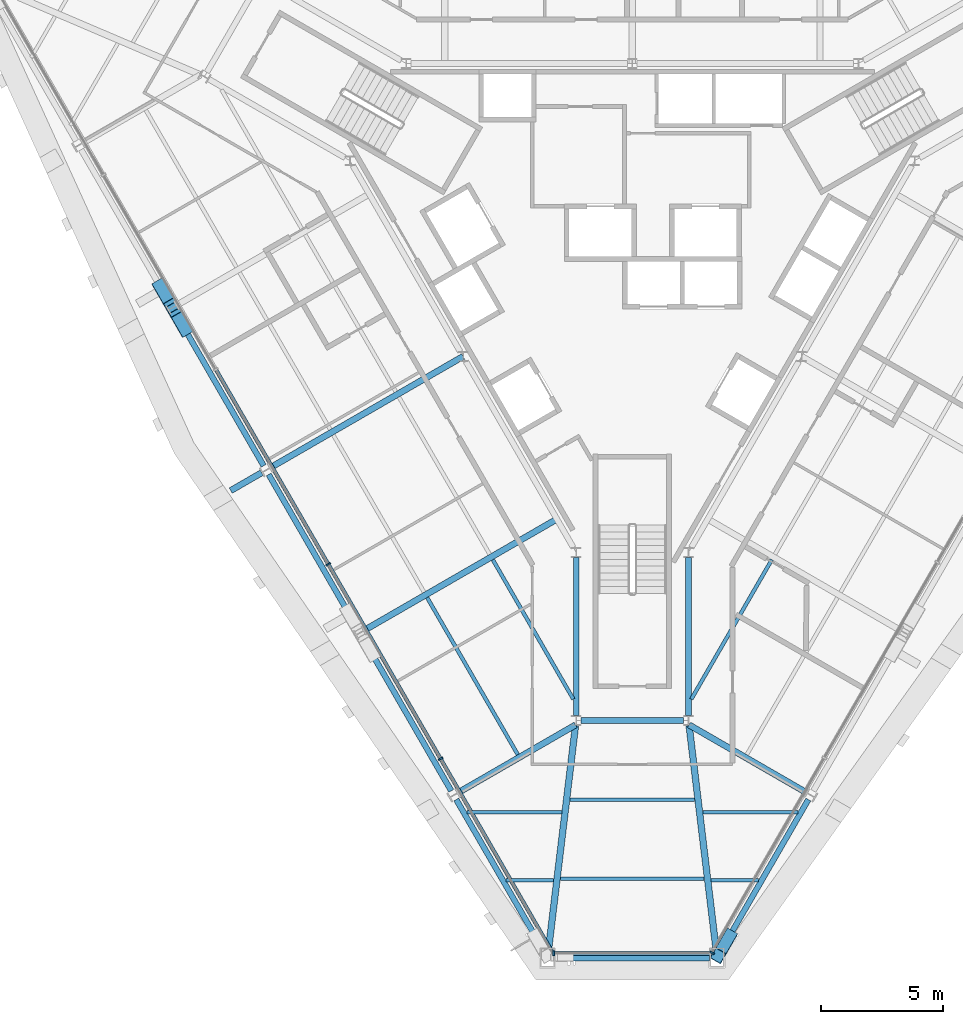
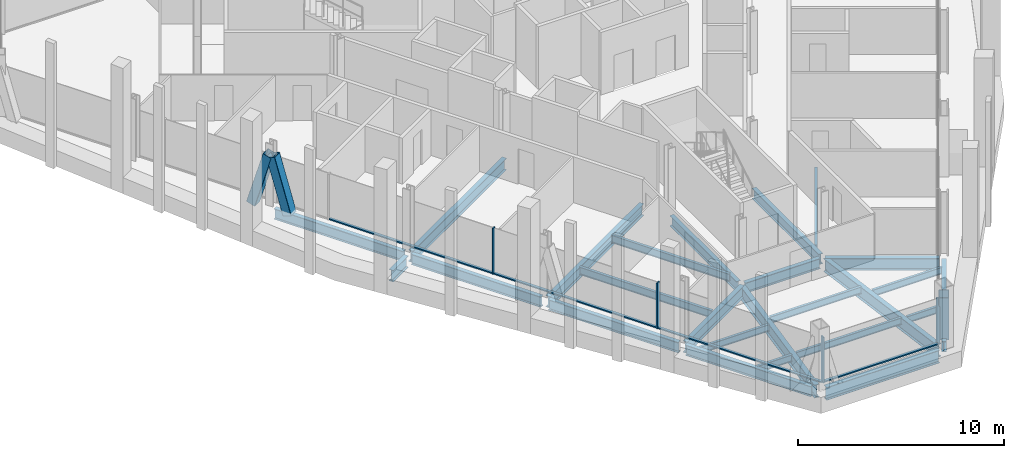
# One storey, part 2 of 13: 25 beams, 11 members, 3 elements without a shape of their own.
"""IFC4 building model written with IfcOpenShell, lengths in metres."""

from ifc_helpers import new_model, si_unit, direction, frame, origin, origin_2d, place, context, subcontext, project, spatial, rectangle, hollow_rectangle, i_section, extrude, material, material_profile, profile_set, type_object, element, aggregate, save


model = new_model("IFC4")

# Units and contexts
model_context = context("Model", 3, precision=1e-05, world=origin(), true_north=direction((0.0, 1.0)))
body_context = subcontext(model_context, "Body", "Model", "MODEL_VIEW")
ifc_project = project(units=[si_unit("LENGTHUNIT", "METRE"), si_unit("AREAUNIT", "SQUARE_METRE"), si_unit("VOLUMEUNIT", "CUBIC_METRE"), si_unit("PLANEANGLEUNIT", "RADIAN"), si_unit("MASSUNIT", "GRAM", prefix="KILO")], contexts=[model_context])

# Site, building, storey
site_placement = place(None, origin())
site = spatial("IfcSite", under=ifc_project, at=site_placement, CompositionType="ELEMENT")
building_placement = place(site_placement, origin())
building = spatial("IfcBuilding", under=site, at=building_placement, Name="Verrane Prism Tower", CompositionType="ELEMENT")
storey_placement = place(building_placement, frame((0.0, 0.0, 171.0)))
storey = spatial("IfcBuildingStorey", under=building, at=storey_placement, Name="L42", CompositionType="ELEMENT", Elevation=171.0)

# Beams
ifc_material_1 = material(Name="Steel A992", Category="steel")
ifc_material_profile_1 = material_profile(ifc_material_1, i_section(OverallWidth=0.2666015625, OverallDepth=0.7568359375, WebThickness=0.013916015625, FlangeThickness=0.019287109375, FilletRadius=0.0166015625, at=origin_2d()), Name="W30x108")
ifc_profile_set_1 = profile_set([ifc_material_profile_1], Name="Steel A992")
beam_type_1 = type_object("IfcBeamType", Name="Chamfer spandrel beam W30x108", PredefinedType="SPANDREL", material=ifc_profile_set_1)
beam_1_placement = place(storey_placement, frame((-3.169921875, -28.610107421875, -0.53857421875), z_axis=(1.0, 0.0, 0.0), x_axis=(0.0, 1.0, 0.0)))
element("IfcBeam", 1, at=beam_1_placement, inside=storey, type_object=beam_type_1, Name="Chamfer spandrel beam L42", PredefinedType="SPANDREL", context=body_context, shape_type="SweptSolid", body=[
    extrude(i_section(OverallWidth=0.2666015625, OverallDepth=0.7568359375, WebThickness=0.013916015625, FlangeThickness=0.019287109375, FilletRadius=0.0166015625, at=origin_2d()), origin(), (0.0, 0.0, 1.0), 6.33984375),
])
ifc_material_2 = material(Name="Steel A992", Category="steel")
ifc_material_profile_2 = material_profile(ifc_material_2, i_section(OverallWidth=0.23046875, OverallDepth=0.6171875, WebThickness=0.01318359375, FlangeThickness=0.022216796875, FilletRadius=0.012939453125, at=origin_2d()), Name="W24x94")
ifc_profile_set_2 = profile_set([ifc_material_profile_2], Name="Steel A992")
beam_type_2 = type_object("IfcBeamType", Name="Core ring girder W24x94", PredefinedType="BEAM", material=ifc_profile_set_2)
beam_2_placement = place(storey_placement, frame((-2.300048828125, -12.219482421875, -0.55859375), z_axis=(0.0, -1.0, 0.0), x_axis=(1.0, 0.0, 0.0)))
element("IfcBeam", 2, at=beam_2_placement, inside=storey, type_object=beam_type_2, Name="Core ring girder L42", PredefinedType="BEAM", context=body_context, shape_type="SweptSolid", body=[
    extrude(i_section(OverallWidth=0.23046875, OverallDepth=0.6171875, WebThickness=0.01318359375, FlangeThickness=0.022216796875, FilletRadius=0.012939453125, at=origin_2d()), origin(), (0.0, 0.0, 1.0), 6.47216796875),
])
beam_3_placement = place(storey_placement, frame((-2.0966796875, -18.89990234375, -0.55859375), z_axis=(1.0, 0.0, 0.0), x_axis=(0.0, 1.0, 0.0)))
element("IfcBeam", 3, at=beam_3_placement, inside=storey, type_object=beam_type_2, Name="Core ring girder L42", PredefinedType="BEAM", context=body_context, shape_type="SweptSolid", body=[
    extrude(i_section(OverallWidth=0.23046875, OverallDepth=0.6171875, WebThickness=0.01318359375, FlangeThickness=0.022216796875, FilletRadius=0.012939453125, at=origin_2d()), origin(), (0.0, 0.0, 1.0), 4.193359375),
])
beam_4_placement = place(storey_placement, frame((2.300048828125, -18.691650390625, -0.55859375), z_axis=(0.0, 1.0, 0.0), x_axis=(-1.0, 0.0, 0.0)))
element("IfcBeam", 4, at=beam_4_placement, inside=storey, type_object=beam_type_2, Name="Core ring girder L42", PredefinedType="BEAM", context=body_context, shape_type="SweptSolid", body=[
    extrude(i_section(OverallWidth=0.23046875, OverallDepth=0.6171875, WebThickness=0.01318359375, FlangeThickness=0.022216796875, FilletRadius=0.012939453125, at=origin_2d()), origin(), (0.0, 0.0, 1.0), 6.47216796875),
])
ifc_material_3 = material(Name="Steel A992", Category="steel")
ifc_material_profile_3 = material_profile(ifc_material_3, i_section(OverallWidth=0.2666015625, OverallDepth=0.76708984375, WebThickness=0.014892578125, FlangeThickness=0.023681640625, FilletRadius=0.0166015625, at=origin_2d()), Name="W30x124")
ifc_profile_set_3 = profile_set([ifc_material_profile_3], Name="Steel A992")
beam_type_3 = type_object("IfcBeamType", Name="Corner girder W30x124", PredefinedType="BEAM", material=ifc_profile_set_3)
for number, where, z_axis, x_axis, name in (
    (5, (-3.421875, -28.2099609375, -0.603515625), (0.119628268268, 0.992818753565, 0.0), (-0.992818753565, 0.119628268268, 0.0), "Corner girder L42"),
    (6, (3.421875, -28.2099609375, -0.603515625), (-0.119628268268, 0.992818753565, 0.0), (-0.992818753565, -0.119628268268, 0.0), "Corner girder L42"),
):
    element("IfcBeam", number, at=place(storey_placement, frame(where, z_axis=z_axis, x_axis=x_axis)), inside=storey, type_object=beam_type_3, Name=name, PredefinedType="BEAM", context=body_context, shape_type="SweptSolid", body=[
        extrude(i_section(OverallWidth=0.2666015625, OverallDepth=0.76708984375, WebThickness=0.014892578125, FlangeThickness=0.023681640625, FilletRadius=0.0166015625, at=origin_2d()), origin(), (0.0, 0.0, 1.0), 9.16748046875),
    ])

# Members
ifc_material_4 = material(Name="Steel A500 Grade C", Category="steel")
ifc_material_profile_4 = material_profile(ifc_material_4, hollow_rectangle(XDim=0.508056640625, YDim=0.508056640625, WallThickness=0.01904296875, InnerFilletRadius=0.009521484375, OuterFilletRadius=0.028564453125, at=origin_2d()), Name="HSS20x20x3/4")
ifc_profile_set_4 = profile_set([ifc_material_profile_4], Name="Steel A500 Grade C")
member_type_1 = type_object("IfcMemberType", Name="Facade brace HSS20x20x3/4", PredefinedType="BRACE", material=ifc_profile_set_4)
for number, where, z_axis, x_axis, name in (
    (7, (-19.34130859375, -1.11474609375, -0.216796875), (0.142163466059, -0.246149282404, 0.958749226696), (0.86595058071, 0.500129574979, 0.0), "Facade brace SW1 L42"),
    (8, (-18.31884765625, -2.88525390625, -0.216796875), (-0.142090690467, 0.246151880924, 0.958759347908), (-0.866063739398, -0.499933594891, 0.0), "Facade brace SW2 L42"),
    (9, (3.981201171875, -27.724609375, -0.216796875), (-0.142163466059, -0.246149282404, 0.958749226696), (0.86595058071, -0.500129574979, 0.0), "Facade brace SE0 L42"),
):
    element("IfcMember", number, at=place(storey_placement, frame(where, z_axis=z_axis, x_axis=x_axis)), inside=storey, type_object=member_type_1, Name=name, PredefinedType="BRACE", context=body_context, shape_type="SweptSolid", body=[
        extrude(hollow_rectangle(XDim=0.508056640625, YDim=0.508056640625, WallThickness=0.01904296875, InnerFilletRadius=0.009521484375, OuterFilletRadius=0.028564453125, at=origin_2d()), origin(), (0.0, 0.0, 1.0), 3.286865234375),
    ])

# Beams
ifc_material_5 = material(Name="Steel A992", Category="steel")
ifc_material_profile_5 = material_profile(ifc_material_5, i_section(OverallWidth=0.140380859375, OverallDepth=0.40380859375, WebThickness=0.007080078125, FlangeThickness=0.01123046875, FilletRadius=0.01025390625, at=origin_2d()), Name="W16x31")
ifc_profile_set_5 = profile_set([ifc_material_profile_5], Name="Steel A992")
beam_type_4 = type_object("IfcBeamType", Name="Floor beam W16x31", PredefinedType="BEAM", material=ifc_profile_set_5)
beam_5_placement = place(storey_placement, frame((-5.171630859375, -25.433349609375, -0.36181640625), z_axis=(1.0, 0.0, 0.0), x_axis=(0.0, 1.0, 0.0)))
element("IfcBeam", 10, at=beam_5_placement, inside=storey, type_object=beam_type_4, Name="Floor beam L42", PredefinedType="BEAM", context=body_context, shape_type="SweptSolid", body=[
    extrude(i_section(OverallWidth=0.140380859375, OverallDepth=0.40380859375, WebThickness=0.007080078125, FlangeThickness=0.01123046875, FilletRadius=0.01025390625, at=origin_2d()), origin(), (0.0, 0.0, 1.0), 1.950439453125),
])
beam_6_placement = place(storey_placement, frame((-6.77490234375, -22.65673828125, -0.36181640625), z_axis=(1.0, 0.0, 0.0), x_axis=(0.0, 1.0, 0.0)))
element("IfcBeam", 11, at=beam_6_placement, inside=storey, type_object=beam_type_4, Name="Floor beam L42", PredefinedType="BEAM", context=body_context, shape_type="SweptSolid", body=[
    extrude(i_section(OverallWidth=0.140380859375, OverallDepth=0.40380859375, WebThickness=0.007080078125, FlangeThickness=0.01123046875, FilletRadius=0.01025390625, at=origin_2d()), origin(), (0.0, 0.0, 1.0), 3.888916015625),
])
beam_7_placement = place(storey_placement, frame((3.22119140625, -25.433349609375, -0.36181640625), z_axis=(1.0, 0.0, 0.0), x_axis=(0.0, 1.0, 0.0)))
element("IfcBeam", 12, at=beam_7_placement, inside=storey, type_object=beam_type_4, Name="Floor beam L42", PredefinedType="BEAM", context=body_context, shape_type="SweptSolid", body=[
    extrude(i_section(OverallWidth=0.140380859375, OverallDepth=0.40380859375, WebThickness=0.007080078125, FlangeThickness=0.01123046875, FilletRadius=0.01025390625, at=origin_2d()), origin(), (0.0, 0.0, 1.0), 1.950439453125),
])
beam_8_placement = place(storey_placement, frame((2.885986328125, -22.65673828125, -0.36181640625), z_axis=(1.0, 0.0, 0.0), x_axis=(0.0, 1.0, 0.0)))
element("IfcBeam", 13, at=beam_8_placement, inside=storey, type_object=beam_type_4, Name="Floor beam L42", PredefinedType="BEAM", context=body_context, shape_type="SweptSolid", body=[
    extrude(i_section(OverallWidth=0.140380859375, OverallDepth=0.40380859375, WebThickness=0.007080078125, FlangeThickness=0.01123046875, FilletRadius=0.01025390625, at=origin_2d()), origin(), (0.0, 0.0, 1.0), 3.888916015625),
])
beam_9_placement = place(storey_placement, frame((-2.945068359375, -25.373291015625, -0.36181640625), z_axis=(1.0, 0.0, 0.0), x_axis=(0.0, 1.0, 0.0)))
element("IfcBeam", 14, at=beam_9_placement, inside=storey, type_object=beam_type_4, Name="Floor beam L42", PredefinedType="BEAM", context=body_context, shape_type="SweptSolid", body=[
    extrude(i_section(OverallWidth=0.140380859375, OverallDepth=0.40380859375, WebThickness=0.007080078125, FlangeThickness=0.01123046875, FilletRadius=0.01025390625, at=origin_2d()), origin(), (0.0, 0.0, 1.0), 5.89013671875),
])
beam_10_placement = place(storey_placement, frame((-2.554443359375, -22.13671875, -0.36181640625), z_axis=(1.0, 0.0, 0.0), x_axis=(0.0, 1.0, 0.0)))
element("IfcBeam", 15, at=beam_10_placement, inside=storey, type_object=beam_type_4, Name="Floor beam L42", PredefinedType="BEAM", context=body_context, shape_type="SweptSolid", body=[
    extrude(i_section(OverallWidth=0.140380859375, OverallDepth=0.40380859375, WebThickness=0.007080078125, FlangeThickness=0.01123046875, FilletRadius=0.01025390625, at=origin_2d()), origin(), (0.0, 0.0, 1.0), 5.10888671875),
])
ifc_material_6 = material(Name="Steel A992", Category="steel")
ifc_material_profile_6 = material_profile(ifc_material_6, i_section(OverallWidth=0.15234375, OverallDepth=0.449462890625, WebThickness=0.007568359375, FlangeThickness=0.0107421875, FilletRadius=0.01025390625, at=origin_2d()), Name="W18x35")
ifc_profile_set_6 = profile_set([ifc_material_profile_6], Name="Steel A992")
beam_type_5 = type_object("IfcBeamType", Name="Floor beam W18x35", PredefinedType="BEAM", material=ifc_profile_set_6)
beam_11_placement = place(storey_placement, frame((-2.4150390625, -18.027099609375, -0.384765625), z_axis=(-0.49998322161, 0.866035090576, 0.0), x_axis=(-0.866035090576, -0.49998322161, 0.0)))
element("IfcBeam", 16, at=beam_11_placement, inside=storey, type_object=beam_type_5, Name="Floor beam L42", PredefinedType="BEAM", context=body_context, shape_type="SweptSolid", body=[
    extrude(i_section(OverallWidth=0.15234375, OverallDepth=0.449462890625, WebThickness=0.007568359375, FlangeThickness=0.0107421875, FilletRadius=0.01025390625, at=origin_2d()), origin(), (0.0, 0.0, 1.0), 6.591552734375),
])
beam_12_placement = place(storey_placement, frame((-4.686279296875, -20.299072265625, -0.384765625), z_axis=(-0.500022277658, 0.866012541391, 0.0), x_axis=(-0.866012541391, -0.500022277658, 0.0)))
element("IfcBeam", 17, at=beam_12_placement, inside=storey, type_object=beam_type_5, Name="Floor beam L42", PredefinedType="BEAM", context=body_context, shape_type="SweptSolid", body=[
    extrude(i_section(OverallWidth=0.15234375, OverallDepth=0.449462890625, WebThickness=0.007568359375, FlangeThickness=0.0107421875, FilletRadius=0.01025390625, at=origin_2d()), origin(), (0.0, 0.0, 1.0), 7.424560546875),
])
beam_13_placement = place(storey_placement, frame((2.4150390625, -18.027099609375, -0.384765625), z_axis=(0.49998322161, 0.866035090576, 0.0), x_axis=(-0.866035090576, 0.49998322161, 0.0)))
element("IfcBeam", 18, at=beam_13_placement, inside=storey, type_object=beam_type_5, Name="Floor beam L42", PredefinedType="BEAM", context=body_context, shape_type="SweptSolid", body=[
    extrude(i_section(OverallWidth=0.15234375, OverallDepth=0.449462890625, WebThickness=0.007568359375, FlangeThickness=0.0107421875, FilletRadius=0.01025390625, at=origin_2d()), origin(), (0.0, 0.0, 1.0), 6.591552734375),
])

# Curtain wall, members
ifc_material_7 = material(Name="Aluminium framed insulated glazing", Category="aluminium")
curtain_wall_type = type_object("IfcCurtainWallType", Name="Curtain wall CW-A 8400 module", PredefinedType="NOTDEFINED", material=ifc_material_7)
curtain_wall_1_placement = place(storey_placement, origin())
curtain_wall_1 = element("IfcCurtainWall", 19, at=curtain_wall_1_placement, inside=storey, type_object=curtain_wall_type, Name="Glazed curtain wall south-west face L42", PredefinedType="NOTDEFINED")
ifc_material_8 = material(Name="Aluminium alloy 6063-T6", Category="aluminium")
ifc_material_profile_7 = material_profile(ifc_material_8, rectangle(XDim=0.199951171875, YDim=0.070068359375, at=origin_2d()), Name="Mullion 70x200 aluminium")
ifc_profile_set_7 = profile_set([ifc_material_profile_7], Name="Aluminium alloy 6063-T6")
member_type_2 = type_object("IfcMemberType", Name="Mullion 70x200 aluminium", PredefinedType="MULLION", material=ifc_profile_set_7)
member_1_placement = place(storey_placement, frame((-12.448974609375, -12.5, 0.0), z_axis=(0.0, 0.0, 1.0), x_axis=(0.86602596468, 0.499999028499, 0.0)))
member_1 = element("IfcMember", 20, at=member_1_placement, type_object=member_type_2, Name="CW42.4 mullion 4", PredefinedType="MULLION", context=body_context, shape_type="SweptSolid", body=[
    extrude(rectangle(XDim=0.199951171875, YDim=0.070068359375, at=origin_2d()), origin(), (0.0, 0.0, 1.0), 2.712890625),
])
member_2_placement = place(storey_placement, frame((-7.84814453125, -20.46875, 0.0), z_axis=(0.0, 0.0, 1.0), x_axis=(0.86602596468, 0.499999028499, 0.0)))
member_2 = element("IfcMember", 21, at=member_2_placement, type_object=member_type_2, Name="CW42.4 mullion 5", PredefinedType="MULLION", context=body_context, shape_type="SweptSolid", body=[
    extrude(rectangle(XDim=0.199951171875, YDim=0.070068359375, at=origin_2d()), origin(), (0.0, 0.0, 1.0), 2.712890625),
])

# Curtain wall, member
curtain_wall_2_placement = place(storey_placement, origin())
curtain_wall_2 = element("IfcCurtainWall", 22, at=curtain_wall_2_placement, inside=storey, type_object=curtain_wall_type, Name="Glazed curtain wall south corner L42", PredefinedType="NOTDEFINED")
member_3_placement = place(storey_placement, frame((-3.21240234375, -28.4375, 0.0), z_axis=(0.0, 0.0, 1.0), x_axis=(0.0, 1.0, 0.0)))
member_3 = element("IfcMember", 23, at=member_3_placement, type_object=member_type_2, Name="CW42.5 mullion 1", PredefinedType="MULLION", context=body_context, shape_type="SweptSolid", body=[
    extrude(rectangle(XDim=0.199951171875, YDim=0.070068359375, at=origin_2d()), origin(), (0.0, 0.0, 1.0), 2.712890625),
])

curtain_wall_3_placement = place(storey_placement, origin())
curtain_wall_3 = element("IfcCurtainWall", 24, at=curtain_wall_3_placement, inside=storey, type_object=curtain_wall_type, Name="Glazed curtain wall south-east face L42", PredefinedType="NOTDEFINED")
member_4_placement = place(storey_placement, frame((3.264892578125, -28.4072265625, 0.0), z_axis=(0.0, 0.0, 1.0), x_axis=(-0.866026333389, 0.499998389874, 0.0)))
member_4 = element("IfcMember", 25, at=member_4_placement, type_object=member_type_2, Name="CW42.6 mullion 1", PredefinedType="MULLION", context=body_context, shape_type="SweptSolid", body=[
    extrude(rectangle(XDim=0.199951171875, YDim=0.070068359375, at=origin_2d()), origin(), (0.0, 0.0, 1.0), 2.712890625),
])
aggregate(curtain_wall_3, [member_4])

# Beams
ifc_material_9 = material(Name="Steel A992", Category="steel")
ifc_material_profile_8 = material_profile(ifc_material_9, i_section(OverallWidth=0.25390625, OverallDepth=0.683349609375, WebThickness=0.012451171875, FlangeThickness=0.01904296875, FilletRadius=0.01513671875, at=origin_2d()), Name="W27x94")
ifc_profile_set_8 = profile_set([ifc_material_profile_8], Name="Steel A992")
beam_type_6 = type_object("IfcBeamType", Name="Radial girder W27x94", PredefinedType="BEAM", material=ifc_profile_set_8)
beam_14_placement = place(storey_placement, frame((-14.802001953125, -8.54150390625, -0.5615234375), z_axis=(0.866020960005, 0.500007696773, 0.0), x_axis=(-0.500007696773, 0.866020960005, 0.0)))
element("IfcBeam", 26, at=beam_14_placement, inside=storey, type_object=beam_type_6, Name="Radial girder L42", PredefinedType="BEAM", context=body_context, shape_type="SweptSolid", body=[
    extrude(i_section(OverallWidth=0.25390625, OverallDepth=0.683349609375, WebThickness=0.012451171875, FlangeThickness=0.01904296875, FilletRadius=0.01513671875, at=origin_2d()), origin(), (0.0, 0.0, 1.0), 9.088134765625),
])
beam_15_placement = place(storey_placement, frame((-10.9619140625, -15.201416015625, -0.5615234375), z_axis=(0.866021925876, 0.500006023866, 0.0), x_axis=(-0.500006023866, 0.866021925876, 0.0)))
element("IfcBeam", 27, at=beam_15_placement, inside=storey, type_object=beam_type_6, Name="Radial girder L42", PredefinedType="BEAM", context=body_context, shape_type="SweptSolid", body=[
    extrude(i_section(OverallWidth=0.25390625, OverallDepth=0.683349609375, WebThickness=0.012451171875, FlangeThickness=0.01904296875, FilletRadius=0.01513671875, at=origin_2d()), origin(), (0.0, 0.0, 1.0), 9.09228515625),
])
for number, where, z_axis, x_axis, name in (
    (28, (-7.121826171875, -21.851318359375, -0.5615234375), (0.866030813765, 0.499990629522, 0.0), (-0.499990629522, 0.866030813765, 0.0), "Radial girder L42"),
    (29, (7.121826171875, -21.851318359375, -0.5615234375), (-0.866030813765, 0.499990629522, 0.0), (-0.499990629522, -0.866030813765, 0.0), "Radial girder L42"),
):
    element("IfcBeam", number, at=place(storey_placement, frame(where, z_axis=z_axis, x_axis=x_axis)), inside=storey, type_object=beam_type_6, Name=name, PredefinedType="BEAM", context=body_context, shape_type="SweptSolid", body=[
        extrude(i_section(OverallWidth=0.25390625, OverallDepth=0.683349609375, WebThickness=0.012451171875, FlangeThickness=0.01904296875, FilletRadius=0.01513671875, at=origin_2d()), origin(), (0.0, 0.0, 1.0), 5.54248046875),
    ])
beam_16_placement = place(storey_placement, frame((-15.174560546875, -8.756591796875, -0.5615234375), z_axis=(-0.866046596414, -0.499963291492, 0.0), x_axis=(0.499963291492, -0.866046596414, 0.0)))
element("IfcBeam", 30, at=beam_16_placement, inside=storey, type_object=beam_type_6, Name="Cantilever girder L42", PredefinedType="BEAM", context=body_context, shape_type="SweptSolid", body=[
    extrude(i_section(OverallWidth=0.25390625, OverallDepth=0.683349609375, WebThickness=0.012451171875, FlangeThickness=0.01904296875, FilletRadius=0.01513671875, at=origin_2d()), origin(), (0.0, 0.0, 1.0), 1.46240234375),
])
ifc_material_10 = material(Name="Steel A992", Category="steel")
ifc_material_profile_9 = material_profile(ifc_material_10, i_section(OverallWidth=0.23046875, OverallDepth=0.6171875, WebThickness=0.01318359375, FlangeThickness=0.022216796875, FilletRadius=0.012939453125, at=origin_2d()), Name="W24x94")
ifc_profile_set_9 = profile_set([ifc_material_profile_9], Name="Steel A992")
beam_type_7 = type_object("IfcBeamType", Name="Spandrel beam W24x94", PredefinedType="SPANDREL", material=ifc_profile_set_9)
beam_17_placement = place(storey_placement, frame((-18.72705078125, -2.17822265625, -0.468505859375), z_axis=(0.500052022334, -0.865995366592, 0.0), x_axis=(0.865995366592, 0.500052022334, 0.0)))
element("IfcBeam", 31, at=beam_17_placement, inside=storey, type_object=beam_type_7, Name="Spandrel beam L42", PredefinedType="SPANDREL", context=body_context, shape_type="SweptSolid", body=[
    extrude(i_section(OverallWidth=0.23046875, OverallDepth=0.6171875, WebThickness=0.01318359375, FlangeThickness=0.022216796875, FilletRadius=0.012939453125, at=origin_2d()), origin(), (0.0, 0.0, 1.0), 7.267333984375),
])
beam_18_placement = place(storey_placement, frame((-14.88720703125, -8.828125, -0.468505859375), z_axis=(0.499492001644, -0.866318498183, 0.0), x_axis=(0.866318498183, 0.499492001644, 0.0)))
element("IfcBeam", 32, at=beam_18_placement, inside=storey, type_object=beam_type_7, Name="Spandrel beam L42", PredefinedType="SPANDREL", context=body_context, shape_type="SweptSolid", body=[
    extrude(i_section(OverallWidth=0.23046875, OverallDepth=0.6171875, WebThickness=0.01318359375, FlangeThickness=0.022216796875, FilletRadius=0.012939453125, at=origin_2d()), origin(), (0.0, 0.0, 1.0), 7.2763671875),
])
beam_19_placement = place(storey_placement, frame((-11.047119140625, -15.48828125, -0.468505859375), z_axis=(0.50007721572, -0.865980818678, 0.0), x_axis=(0.865980818678, 0.50007721572, 0.0)))
element("IfcBeam", 33, at=beam_19_placement, inside=storey, type_object=beam_type_7, Name="Spandrel beam L42", PredefinedType="SPANDREL", context=body_context, shape_type="SweptSolid", body=[
    extrude(i_section(OverallWidth=0.23046875, OverallDepth=0.6171875, WebThickness=0.01318359375, FlangeThickness=0.022216796875, FilletRadius=0.012939453125, at=origin_2d()), origin(), (0.0, 0.0, 1.0), 7.267333984375),
])
for number, where, z_axis, x_axis, name in (
    (34, (-7.20703125, -22.13818359375, -0.468505859375), (0.5000600333, -0.865990740768, 0.0), (0.865990740768, 0.5000600333, 0.0), "Spandrel beam L42"),
    (35, (3.700927734375, -28.2099609375, -0.468505859375), (0.5000600333, 0.865990740768, 0.0), (-0.865990740768, 0.5000600333, 0.0), "Spandrel beam L42"),
):
    element("IfcBeam", number, at=place(storey_placement, frame(where, z_axis=z_axis, x_axis=x_axis)), inside=storey, type_object=beam_type_7, Name=name, PredefinedType="SPANDREL", context=body_context, shape_type="SweptSolid", body=[
        extrude(i_section(OverallWidth=0.23046875, OverallDepth=0.6171875, WebThickness=0.01318359375, FlangeThickness=0.022216796875, FilletRadius=0.012939453125, at=origin_2d()), origin(), (0.0, 0.0, 1.0), 7.011474609375),
    ])

# Member
ifc_material_11 = material(Name="Aluminium alloy 6063-T6", Category="aluminium")
ifc_material_profile_10 = material_profile(ifc_material_11, rectangle(XDim=0.14990234375, YDim=0.070068359375, at=origin_2d()), Name="Transom 70x150 aluminium")
ifc_profile_set_10 = profile_set([ifc_material_profile_10], Name="Aluminium alloy 6063-T6")
member_type_3 = type_object("IfcMemberType", Name="Transom 70x150 aluminium", PredefinedType="USERDEFINED", material=ifc_profile_set_10)
member_5_placement = place(storey_placement, frame((-17.0322265625, -4.561279296875, 0.034912109375), z_axis=(0.499997849104, -0.866026645601, 0.0), x_axis=(0.866026645601, 0.499997849104, 0.0)))
member_5 = element("IfcMember", 36, at=member_5_placement, type_object=member_type_3, Name="CW42.4 transom 3", ObjectType="TRANSOM", PredefinedType="USERDEFINED", context=body_context, shape_type="SweptSolid", body=[
    extrude(rectangle(XDim=0.14990234375, YDim=0.070068359375, at=origin_2d()), origin(), (0.0, 0.0, 1.0), 9.1318359375),
])

member_6_placement = place(storey_placement, frame((-12.431396484375, -12.5302734375, 0.034912109375), z_axis=(0.500009425886, -0.866019961678, 0.0), x_axis=(0.866019961678, 0.500009425886, 0.0)))
member_6 = element("IfcMember", 37, at=member_6_placement, type_object=member_type_3, Name="CW42.4 transom 4", ObjectType="TRANSOM", PredefinedType="USERDEFINED", context=body_context, shape_type="SweptSolid", body=[
    extrude(rectangle(XDim=0.14990234375, YDim=0.070068359375, at=origin_2d()), origin(), (0.0, 0.0, 1.0), 9.131591796875),
])

member_7_placement = place(storey_placement, frame((-7.83056640625, -20.4990234375, 0.034912109375), z_axis=(0.499997575924, -0.866026803321, 0.0), x_axis=(0.866026803321, 0.499997575924, 0.0)))
member_7 = element("IfcMember", 38, at=member_7_placement, type_object=member_type_3, Name="CW42.4 transom 5", ObjectType="TRANSOM", PredefinedType="USERDEFINED", context=body_context, shape_type="SweptSolid", body=[
    extrude(rectangle(XDim=0.14990234375, YDim=0.070068359375, at=origin_2d()), origin(), (0.0, 0.0, 1.0), 9.16650390625),
])

aggregate(curtain_wall_1, [member_1, member_2, member_5, member_6, member_7])

member_8_placement = place(storey_placement, frame((-3.17724609375, -28.4375, 0.034912109375), z_axis=(1.0, 0.0, 0.0), x_axis=(0.0, 1.0, 0.0)))
member_8 = element("IfcMember", 39, at=member_8_placement, type_object=member_type_3, Name="CW42.5 transom 1", ObjectType="TRANSOM", PredefinedType="USERDEFINED", context=body_context, shape_type="SweptSolid", body=[
    extrude(rectangle(XDim=0.14990234375, YDim=0.070068359375, at=origin_2d()), origin(), (0.0, 0.0, 1.0), 6.424560546875),
])

aggregate(curtain_wall_2, [member_3, member_8])

save(model, "model.ifc")
